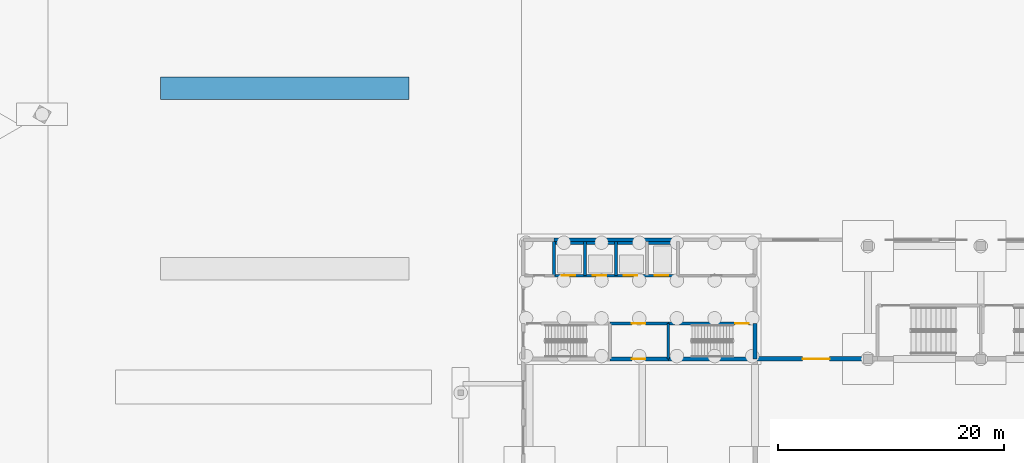
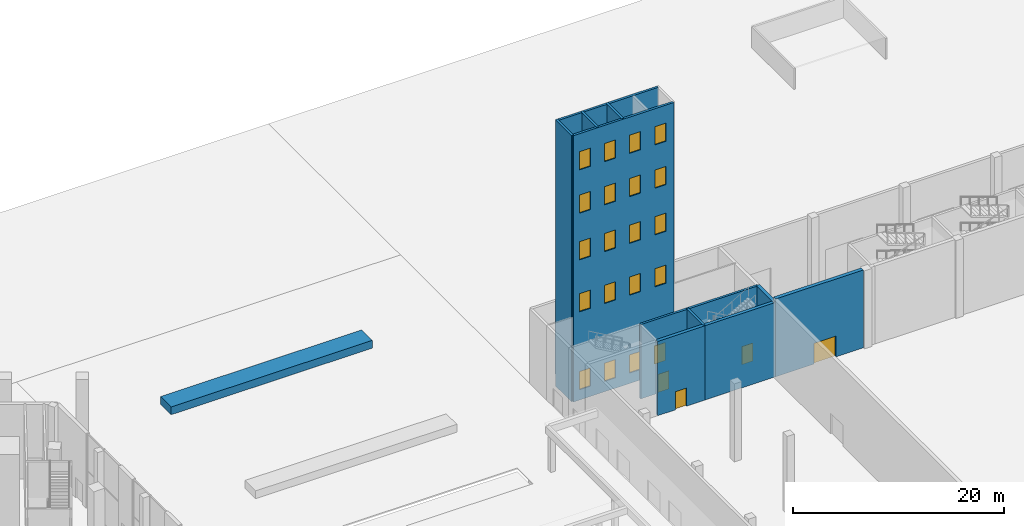
"""IFC4 building model written with IfcOpenShell, lengths in metres."""

from ifc_helpers import new_model, si_unit, direction, frame, frame_2d, origin, place, context, subcontext, project, spatial, rectangle, extrude, material, layer, layer_set, type_object, element, fill, save


model = new_model("IFC4")

# Units and contexts
model_context = context("Model", 3, precision=1e-05, world=origin(), true_north=direction((0.0, 1.0)))
body_context = subcontext(model_context, "Body", "Model", "MODEL_VIEW")
ifc_project = project(units=[si_unit("LENGTHUNIT", "METRE"), si_unit("AREAUNIT", "SQUARE_METRE"), si_unit("VOLUMEUNIT", "CUBIC_METRE"), si_unit("PLANEANGLEUNIT", "RADIAN"), si_unit("MASSUNIT", "GRAM", prefix="KILO")], contexts=[model_context])

# Site, building, storey
site_placement = place(None, origin())
site = spatial("IfcSite", under=ifc_project, at=site_placement, CompositionType="ELEMENT")
building_placement = place(site_placement, origin())
building = spatial("IfcBuilding", under=site, at=building_placement, Name="Jabali Bay Hotel Tower and Convention Centre", CompositionType="ELEMENT")
storey_1_placement = place(building_placement, origin())
storey_1 = spatial("IfcBuildingStorey", under=building, at=storey_1_placement, Name="L00", CompositionType="ELEMENT", Elevation=0.0)

# Wall, opening, door
ifc_material_1 = material(Name="Concrete C60", Category="concrete")
ifc_layer_1 = layer(ifc_material_1, 0.35009765625)
ifc_layer_set_1 = layer_set([ifc_layer_1], Name="Concrete C60")
wall_type_1 = type_object("IfcWallType", Name="CC Core Wall 350", PredefinedType="SHEAR", material=ifc_layer_set_1)
wall_1_placement = place(storey_1_placement, frame((163.0, 100.0, 0.0), z_axis=(0.0, 0.0, 1.0), x_axis=(-1.0, 0.0, 0.0)))
wall_1 = element("IfcWall", 1, at=wall_1_placement, inside=storey_1, type_object=wall_type_1, Name="CC west core wall", PredefinedType="SHEAR", context=body_context, shape_type="SweptSolid", body=[
    extrude(rectangle(XDim=5.175048828125, YDim=0.35009765625, at=frame_2d((2.58740234375, 0.0))), origin(), (0.0, 0.0, 1.0), 8.590087890625),
])
opening_1_placement = place(wall_1_placement, frame((2.02490234375, 0.0, 0.0)))
opening_1 = element("IfcOpeningElement", 2, at=opening_1_placement, cuts=wall_1, Name="Opening CC-D014", PredefinedType="OPENING", context=body_context, shape_type="SweptSolid", body=[
    extrude(rectangle(XDim=1.199951171875, YDim=2.10009765625, at=frame_2d((0.60009765625, 1.050048828125))), frame((0.0, 0.185546875, 0.0), z_axis=(0.0, -1.0, 0.0), x_axis=(1.0, 0.0, 0.0)), (0.0, 0.0, 1.0), 0.37109375),
])
ifc_material_2 = material(Name="Timber and steel door set", Category="steel")
door_type_1 = type_object("IfcDoorType", Name="CC Vestibule Door 1200x2100", OperationType="NOTDEFINED", PredefinedType="DOOR", material=ifc_material_2)
door_1_placement = place(opening_1_placement, origin())
door_1 = element("IfcDoor", 3, at=door_1_placement, inside=storey_1, type_object=door_type_1, Name="CC door CC-D014", OperationType="SINGLE_SWING_RIGHT", OverallHeight=2.10009765625, OverallWidth=1.199951171875, PredefinedType="DOOR", context=body_context, shape_type="SweptSolid", body=[
    extrude(rectangle(XDim=1.199951171875, YDim=2.10009765625, at=frame_2d((0.60009765625, 1.050048828125))), frame((0.0, 0.02490234375, 0.0), z_axis=(0.0, -1.0, 0.0), x_axis=(1.0, 0.0, 0.0)), (0.0, 0.0, 1.0), 0.050048828125),
])
fill(opening_1, door_1)

# Walls
wall_2_placement = place(storey_1_placement, frame((163.0, 100.0, 0.0), z_axis=(0.0, 0.0, 1.0), x_axis=(1.0, 0.0, 0.0)))
element("IfcWall", 4, at=wall_2_placement, inside=storey_1, type_object=wall_type_1, Name="CC west core wall", PredefinedType="SHEAR", context=body_context, shape_type="SweptSolid", body=[
    extrude(rectangle(XDim=7.699951171875, YDim=0.35009765625, at=frame_2d((3.85009765625, 0.0))), origin(), (0.0, 0.0, 1.0), 8.590087890625),
])
wall_3_placement = place(storey_1_placement, frame((170.699951171875, 100.0, 0.0), z_axis=(0.0, 0.0, 1.0), x_axis=(0.0, 1.0, 0.0)))
element("IfcWall", 5, at=wall_3_placement, inside=storey_1, type_object=wall_type_1, Name="CC west core wall", PredefinedType="SHEAR", context=body_context, shape_type="SweptSolid", body=[
    extrude(rectangle(XDim=3.14990234375, YDim=0.35009765625, at=frame_2d((1.574951171875, 0.0))), origin(), (0.0, 0.0, 1.0), 8.590087890625),
])
ifc_material_3 = material(Name="Concrete C40", Category="concrete")
ifc_layer_2 = layer(ifc_material_3, 0.300048828125)
ifc_layer_set_2 = layer_set([ifc_layer_2], Name="Concrete C40")
wall_type_2 = type_object("IfcWallType", Name="CC External Wall 300", PredefinedType="SOLIDWALL", material=ifc_layer_set_2)
wall_4_placement = place(storey_1_placement, frame((152.875, 110.550048828125, 0.0), z_axis=(0.0, 0.0, 1.0), x_axis=(1.0, 0.0, 0.0)))
element("IfcWall", 6, at=wall_4_placement, inside=storey_1, type_object=wall_type_2, Name="CC wall 264", PredefinedType="SOLIDWALL", context=body_context, shape_type="SweptSolid", body=[
    extrude(rectangle(XDim=11.0, YDim=0.300048828125, at=frame_2d((5.5, 0.0))), origin(), (0.0, 0.0, 1.0), 8.590087890625),
])

# Wall, opening, door
ifc_layer_3 = layer(ifc_material_3, 0.39990234375)
ifc_layer_set_3 = layer_set([ifc_layer_3], Name="Concrete C40")
wall_type_3 = type_object("IfcWallType", Name="CC Hall Wall 400", PredefinedType="SHEAR", material=ifc_layer_set_3)
wall_5_placement = place(storey_1_placement, frame((180.300048828125, 100.0, 0.0), z_axis=(0.0, 0.0, 1.0), x_axis=(-1.0, 0.0, 0.0)))
wall_5 = element("IfcWall", 7, at=wall_5_placement, inside=storey_1, type_object=wall_type_3, Name="CC exhibition hall wall", PredefinedType="SHEAR", context=body_context, shape_type="SweptSolid", body=[
    extrude(rectangle(XDim=9.60009765625, YDim=0.39990234375, at=frame_2d((4.800048828125, 0.0))), origin(), (0.0, 0.0, 1.0), 9.0),
])
opening_2_placement = place(wall_5_placement, frame((3.0, 0.0, 0.0)))
opening_2 = element("IfcOpeningElement", 8, at=opening_2_placement, cuts=wall_5, Name="Opening CC-D073", PredefinedType="OPENING", context=body_context, shape_type="SweptSolid", body=[
    extrude(rectangle(XDim=2.39990234375, YDim=2.39990234375, at=frame_2d((1.199951171875, 1.199951171875))), frame((0.0, 0.21044921875, 0.0), z_axis=(0.0, -1.0, 0.0), x_axis=(1.0, 0.0, 0.0)), (0.0, 0.0, 1.0), 0.4208984375),
])
door_type_2 = type_object("IfcDoorType", Name="CC Hall Double Door 2400x2400", OperationType="NOTDEFINED", PredefinedType="DOOR", material=ifc_material_2)
door_2_placement = place(opening_2_placement, origin())
door_2 = element("IfcDoor", 9, at=door_2_placement, inside=storey_1, type_object=door_type_2, Name="CC door CC-D073", OperationType="DOUBLE_DOOR_SINGLE_SWING", OverallHeight=2.39990234375, OverallWidth=2.39990234375, PredefinedType="DOOR", context=body_context, shape_type="SweptSolid", body=[
    extrude(rectangle(XDim=2.39990234375, YDim=2.39990234375, at=frame_2d((1.199951171875, 1.199951171875))), frame((0.0, 0.02490234375, 0.0), z_axis=(0.0, -1.0, 0.0), x_axis=(1.0, 0.0, 0.0)), (0.0, 0.0, 1.0), 0.050048828125),
])
fill(opening_2, door_2)

ifc_layer_4 = layer(ifc_material_3, 0.25)
ifc_layer_set_4 = layer_set([ifc_layer_4], Name="Concrete C40")
wall_type_4 = type_object("IfcWallType", Name="CC Shaft Wall 250", PredefinedType="SHEAR", material=ifc_layer_set_4)
wall_6_placement = place(storey_1_placement, frame((157.824951171875, 103.14990234375, 0.0), z_axis=(0.0, 0.0, 1.0), x_axis=(1.0, 0.0, 0.0)))
wall_6 = element("IfcWall", 10, at=wall_6_placement, inside=storey_1, type_object=wall_type_4, Name="CC west core wall", PredefinedType="SHEAR", context=body_context, shape_type="SweptSolid", body=[
    extrude(rectangle(XDim=5.175048828125, YDim=0.25, at=frame_2d((2.58740234375, 0.0))), origin(), (0.0, 0.0, 1.0), 8.590087890625),
])
opening_3_placement = place(wall_6_placement, frame((1.949951171875, 0.0, 0.0)))
opening_3 = element("IfcOpeningElement", 11, at=opening_3_placement, cuts=wall_6, Name="Opening CC-D130", PredefinedType="OPENING", context=body_context, shape_type="SweptSolid", body=[
    extrude(rectangle(XDim=1.199951171875, YDim=2.10009765625, at=frame_2d((0.60009765625, 1.050048828125))), frame((0.0, 0.135498046875, 0.0), z_axis=(0.0, -1.0, 0.0), x_axis=(1.0, 0.0, 0.0)), (0.0, 0.0, 1.0), 0.27099609375),
])
door_3_placement = place(opening_3_placement, origin())
door_3 = element("IfcDoor", 12, at=door_3_placement, inside=storey_1, type_object=door_type_1, Name="CC door CC-D130", OperationType="SINGLE_SWING_RIGHT", OverallHeight=2.10009765625, OverallWidth=1.199951171875, PredefinedType="DOOR", context=body_context, shape_type="SweptSolid", body=[
    extrude(rectangle(XDim=1.199951171875, YDim=2.10009765625, at=frame_2d((0.60009765625, 1.050048828125))), frame((0.0, 0.02490234375, 0.0), z_axis=(0.0, -1.0, 0.0), x_axis=(1.0, 0.0, 0.0)), (0.0, 0.0, 1.0), 0.050048828125),
])
fill(opening_3, door_3)

wall_7_placement = place(storey_1_placement, frame((163.0, 103.14990234375, 0.0), z_axis=(0.0, 0.0, 1.0), x_axis=(1.0, 0.0, 0.0)))
wall_7 = element("IfcWall", 13, at=wall_7_placement, inside=storey_1, type_object=wall_type_4, Name="CC west core wall", PredefinedType="SHEAR", context=body_context, shape_type="SweptSolid", body=[
    extrude(rectangle(XDim=7.699951171875, YDim=0.25, at=frame_2d((3.85009765625, 0.0))), origin(), (0.0, 0.0, 1.0), 8.590087890625),
])
opening_4_placement = place(wall_7_placement, frame((5.925048828125, 0.0, 0.0)))
opening_4 = element("IfcOpeningElement", 14, at=opening_4_placement, cuts=wall_7, Name="Opening CC-D129", PredefinedType="OPENING", context=body_context, shape_type="SweptSolid", body=[
    extrude(rectangle(XDim=1.199951171875, YDim=2.10009765625, at=frame_2d((0.60009765625, 1.050048828125))), frame((0.0, 0.135498046875, 0.0), z_axis=(0.0, -1.0, 0.0), x_axis=(1.0, 0.0, 0.0)), (0.0, 0.0, 1.0), 0.27099609375),
])
door_type_3 = type_object("IfcDoorType", Name="CC Stair Door 1200x2100", OperationType="NOTDEFINED", PredefinedType="DOOR", material=ifc_material_2)
door_4_placement = place(opening_4_placement, origin())
door_4 = element("IfcDoor", 15, at=door_4_placement, inside=storey_1, type_object=door_type_3, Name="CC door CC-D129", OperationType="SINGLE_SWING_LEFT", OverallHeight=2.10009765625, OverallWidth=1.199951171875, PredefinedType="DOOR", context=body_context, shape_type="SweptSolid", body=[
    extrude(rectangle(XDim=1.199951171875, YDim=2.10009765625, at=frame_2d((0.60009765625, 1.050048828125))), frame((0.0, 0.02490234375, 0.0), z_axis=(0.0, -1.0, 0.0), x_axis=(1.0, 0.0, 0.0)), (0.0, 0.0, 1.0), 0.050048828125),
])
fill(opening_4, door_4)

# Walls
wall_8_placement = place(storey_1_placement, frame((163.0, 100.0, 0.0), z_axis=(0.0, 0.0, 1.0), x_axis=(0.0, 1.0, 0.0)))
element("IfcWall", 16, at=wall_8_placement, inside=storey_1, type_object=wall_type_4, Name="CC west core wall", PredefinedType="SHEAR", context=body_context, shape_type="SweptSolid", body=[
    extrude(rectangle(XDim=3.14990234375, YDim=0.25, at=frame_2d((1.574951171875, 0.0))), origin(), (0.0, 0.0, 1.0), 8.590087890625),
])
for number, where, z_axis, x_axis, name in (
    (17, (152.875, 107.375, -1.199951171875), (0.0, 0.0, 1.0), (0.0, 1.0, 0.0), "CC west lift shaft wall"),
    (18, (155.625, 107.375, -1.199951171875), (0.0, 0.0, 1.0), (0.0, 1.0, 0.0), "CC west lift shaft wall"),
    (19, (158.375, 107.375, -1.199951171875), (0.0, 0.0, 1.0), (0.0, 1.0, 0.0), "CC west lift shaft wall"),
):
    element("IfcWall", number, at=place(storey_1_placement, frame(where, z_axis=z_axis, x_axis=x_axis)), inside=storey_1, type_object=wall_type_4, Name=name, PredefinedType="SHEAR", context=body_context, shape_type="SweptSolid", body=[
        extrude(rectangle(XDim=3.02490234375, YDim=0.25, at=frame_2d((1.512451171875, 0.0))), origin(), (0.0, 0.0, 1.0), 30.7900390625),
    ])

# Wall, openings, doors
wall_9_placement = place(storey_1_placement, frame((163.875, 107.375, -1.199951171875), z_axis=(0.0, 0.0, 1.0), x_axis=(-1.0, 0.0, 0.0)))
wall_9 = element("IfcWall", 20, at=wall_9_placement, inside=storey_1, type_object=wall_type_4, Name="CC west lift shaft wall", PredefinedType="SHEAR", context=body_context, shape_type="SweptSolid", body=[
    extrude(rectangle(XDim=11.0, YDim=0.25, at=frame_2d((5.5, 0.0))), origin(), (0.0, 0.0, 1.0), 30.7900390625),
])
opening_5_placement = place(wall_9_placement, frame((9.125, 0.0, 1.199951171875)))
opening_5 = element("IfcOpeningElement", 21, at=opening_5_placement, cuts=wall_9, Name="Opening CC-LD131", PredefinedType="OPENING", context=body_context, shape_type="SweptSolid", body=[
    extrude(rectangle(XDim=1.199951171875, YDim=2.10009765625, at=frame_2d((0.60009765625, 1.050048828125))), frame((0.0, 0.135498046875, 0.0), z_axis=(0.0, -1.0, 0.0), x_axis=(1.0, 0.0, 0.0)), (0.0, 0.0, 1.0), 0.27099609375),
])
opening_6_placement = place(wall_9_placement, frame((6.375, 0.0, 1.199951171875)))
opening_6 = element("IfcOpeningElement", 22, at=opening_6_placement, cuts=wall_9, Name="Opening CC-LD132", PredefinedType="OPENING", context=body_context, shape_type="SweptSolid", body=[
    extrude(rectangle(XDim=1.199951171875, YDim=2.10009765625, at=frame_2d((0.60009765625, 1.050048828125))), frame((0.0, 0.135498046875, 0.0), z_axis=(0.0, -1.0, 0.0), x_axis=(1.0, 0.0, 0.0)), (0.0, 0.0, 1.0), 0.27099609375),
])
opening_7_placement = place(wall_9_placement, frame((3.625, 0.0, 1.199951171875)))
opening_7 = element("IfcOpeningElement", 23, at=opening_7_placement, cuts=wall_9, Name="Opening CC-LD133", PredefinedType="OPENING", context=body_context, shape_type="SweptSolid", body=[
    extrude(rectangle(XDim=1.199951171875, YDim=2.10009765625, at=frame_2d((0.60009765625, 1.050048828125))), frame((0.0, 0.135498046875, 0.0), z_axis=(0.0, -1.0, 0.0), x_axis=(1.0, 0.0, 0.0)), (0.0, 0.0, 1.0), 0.27099609375),
])
opening_8_placement = place(wall_9_placement, frame((0.875, 0.0, 1.199951171875)))
opening_8 = element("IfcOpeningElement", 24, at=opening_8_placement, cuts=wall_9, Name="Opening CC-LD134", PredefinedType="OPENING", context=body_context, shape_type="SweptSolid", body=[
    extrude(rectangle(XDim=1.199951171875, YDim=2.10009765625, at=frame_2d((0.60009765625, 1.050048828125))), frame((0.0, 0.135498046875, 0.0), z_axis=(0.0, -1.0, 0.0), x_axis=(1.0, 0.0, 0.0)), (0.0, 0.0, 1.0), 0.27099609375),
])
opening_9_placement = place(wall_9_placement, frame((9.125, 0.0, 10.199951171875)))
opening_9 = element("IfcOpeningElement", 25, at=opening_9_placement, cuts=wall_9, Name="Opening CC-LD140", PredefinedType="OPENING", context=body_context, shape_type="SweptSolid", body=[
    extrude(rectangle(XDim=1.199951171875, YDim=2.10009765625, at=frame_2d((0.60009765625, 1.050048828125))), frame((0.0, 0.135498046875, 0.0), z_axis=(0.0, -1.0, 0.0), x_axis=(1.0, 0.0, 0.0)), (0.0, 0.0, 1.0), 0.27099609375),
])
opening_10_placement = place(wall_9_placement, frame((6.375, 0.0, 10.199951171875)))
opening_10 = element("IfcOpeningElement", 26, at=opening_10_placement, cuts=wall_9, Name="Opening CC-LD141", PredefinedType="OPENING", context=body_context, shape_type="SweptSolid", body=[
    extrude(rectangle(XDim=1.199951171875, YDim=2.10009765625, at=frame_2d((0.60009765625, 1.050048828125))), frame((0.0, 0.135498046875, 0.0), z_axis=(0.0, -1.0, 0.0), x_axis=(1.0, 0.0, 0.0)), (0.0, 0.0, 1.0), 0.27099609375),
])
opening_11_placement = place(wall_9_placement, frame((3.625, 0.0, 10.199951171875)))
opening_11 = element("IfcOpeningElement", 27, at=opening_11_placement, cuts=wall_9, Name="Opening CC-LD142", PredefinedType="OPENING", context=body_context, shape_type="SweptSolid", body=[
    extrude(rectangle(XDim=1.199951171875, YDim=2.10009765625, at=frame_2d((0.60009765625, 1.050048828125))), frame((0.0, 0.135498046875, 0.0), z_axis=(0.0, -1.0, 0.0), x_axis=(1.0, 0.0, 0.0)), (0.0, 0.0, 1.0), 0.27099609375),
])
opening_12_placement = place(wall_9_placement, frame((0.875, 0.0, 10.199951171875)))
opening_12 = element("IfcOpeningElement", 28, at=opening_12_placement, cuts=wall_9, Name="Opening CC-LD143", PredefinedType="OPENING", context=body_context, shape_type="SweptSolid", body=[
    extrude(rectangle(XDim=1.199951171875, YDim=2.10009765625, at=frame_2d((0.60009765625, 1.050048828125))), frame((0.0, 0.135498046875, 0.0), z_axis=(0.0, -1.0, 0.0), x_axis=(1.0, 0.0, 0.0)), (0.0, 0.0, 1.0), 0.27099609375),
])
opening_13_placement = place(wall_9_placement, frame((9.125, 0.0, 16.199951171875)))
opening_13 = element("IfcOpeningElement", 29, at=opening_13_placement, cuts=wall_9, Name="Opening CC-LD149", PredefinedType="OPENING", context=body_context, shape_type="SweptSolid", body=[
    extrude(rectangle(XDim=1.199951171875, YDim=2.10009765625, at=frame_2d((0.60009765625, 1.050048828125))), frame((0.0, 0.135498046875, 0.0), z_axis=(0.0, -1.0, 0.0), x_axis=(1.0, 0.0, 0.0)), (0.0, 0.0, 1.0), 0.27099609375),
])
opening_14_placement = place(wall_9_placement, frame((6.375, 0.0, 16.199951171875)))
opening_14 = element("IfcOpeningElement", 30, at=opening_14_placement, cuts=wall_9, Name="Opening CC-LD150", PredefinedType="OPENING", context=body_context, shape_type="SweptSolid", body=[
    extrude(rectangle(XDim=1.199951171875, YDim=2.10009765625, at=frame_2d((0.60009765625, 1.050048828125))), frame((0.0, 0.135498046875, 0.0), z_axis=(0.0, -1.0, 0.0), x_axis=(1.0, 0.0, 0.0)), (0.0, 0.0, 1.0), 0.27099609375),
])
opening_15_placement = place(wall_9_placement, frame((3.625, 0.0, 16.199951171875)))
opening_15 = element("IfcOpeningElement", 31, at=opening_15_placement, cuts=wall_9, Name="Opening CC-LD151", PredefinedType="OPENING", context=body_context, shape_type="SweptSolid", body=[
    extrude(rectangle(XDim=1.199951171875, YDim=2.10009765625, at=frame_2d((0.60009765625, 1.050048828125))), frame((0.0, 0.135498046875, 0.0), z_axis=(0.0, -1.0, 0.0), x_axis=(1.0, 0.0, 0.0)), (0.0, 0.0, 1.0), 0.27099609375),
])
opening_16_placement = place(wall_9_placement, frame((0.875, 0.0, 16.199951171875)))
opening_16 = element("IfcOpeningElement", 32, at=opening_16_placement, cuts=wall_9, Name="Opening CC-LD152", PredefinedType="OPENING", context=body_context, shape_type="SweptSolid", body=[
    extrude(rectangle(XDim=1.199951171875, YDim=2.10009765625, at=frame_2d((0.60009765625, 1.050048828125))), frame((0.0, 0.135498046875, 0.0), z_axis=(0.0, -1.0, 0.0), x_axis=(1.0, 0.0, 0.0)), (0.0, 0.0, 1.0), 0.27099609375),
])
opening_17_placement = place(wall_9_placement, frame((9.125, 0.0, 21.60009765625)))
opening_17 = element("IfcOpeningElement", 33, at=opening_17_placement, cuts=wall_9, Name="Opening CC-LD158", PredefinedType="OPENING", context=body_context, shape_type="SweptSolid", body=[
    extrude(rectangle(XDim=1.199951171875, YDim=2.10009765625, at=frame_2d((0.60009765625, 1.050048828125))), frame((0.0, 0.135498046875, 0.0), z_axis=(0.0, -1.0, 0.0), x_axis=(1.0, 0.0, 0.0)), (0.0, 0.0, 1.0), 0.27099609375),
])
opening_18_placement = place(wall_9_placement, frame((6.375, 0.0, 21.60009765625)))
opening_18 = element("IfcOpeningElement", 34, at=opening_18_placement, cuts=wall_9, Name="Opening CC-LD159", PredefinedType="OPENING", context=body_context, shape_type="SweptSolid", body=[
    extrude(rectangle(XDim=1.199951171875, YDim=2.10009765625, at=frame_2d((0.60009765625, 1.050048828125))), frame((0.0, 0.135498046875, 0.0), z_axis=(0.0, -1.0, 0.0), x_axis=(1.0, 0.0, 0.0)), (0.0, 0.0, 1.0), 0.27099609375),
])
opening_19_placement = place(wall_9_placement, frame((3.625, 0.0, 21.60009765625)))
opening_19 = element("IfcOpeningElement", 35, at=opening_19_placement, cuts=wall_9, Name="Opening CC-LD160", PredefinedType="OPENING", context=body_context, shape_type="SweptSolid", body=[
    extrude(rectangle(XDim=1.199951171875, YDim=2.10009765625, at=frame_2d((0.60009765625, 1.050048828125))), frame((0.0, 0.135498046875, 0.0), z_axis=(0.0, -1.0, 0.0), x_axis=(1.0, 0.0, 0.0)), (0.0, 0.0, 1.0), 0.27099609375),
])
opening_20_placement = place(wall_9_placement, frame((0.875, 0.0, 21.60009765625)))
opening_20 = element("IfcOpeningElement", 36, at=opening_20_placement, cuts=wall_9, Name="Opening CC-LD161", PredefinedType="OPENING", context=body_context, shape_type="SweptSolid", body=[
    extrude(rectangle(XDim=1.199951171875, YDim=2.10009765625, at=frame_2d((0.60009765625, 1.050048828125))), frame((0.0, 0.135498046875, 0.0), z_axis=(0.0, -1.0, 0.0), x_axis=(1.0, 0.0, 0.0)), (0.0, 0.0, 1.0), 0.27099609375),
])
opening_21_placement = place(wall_9_placement, frame((9.125, 0.0, 26.60009765625)))
opening_21 = element("IfcOpeningElement", 37, at=opening_21_placement, cuts=wall_9, Name="Opening CC-LD167", PredefinedType="OPENING", context=body_context, shape_type="SweptSolid", body=[
    extrude(rectangle(XDim=1.199951171875, YDim=2.10009765625, at=frame_2d((0.60009765625, 1.050048828125))), frame((0.0, 0.135498046875, 0.0), z_axis=(0.0, -1.0, 0.0), x_axis=(1.0, 0.0, 0.0)), (0.0, 0.0, 1.0), 0.27099609375),
])
opening_22_placement = place(wall_9_placement, frame((6.375, 0.0, 26.60009765625)))
opening_22 = element("IfcOpeningElement", 38, at=opening_22_placement, cuts=wall_9, Name="Opening CC-LD168", PredefinedType="OPENING", context=body_context, shape_type="SweptSolid", body=[
    extrude(rectangle(XDim=1.199951171875, YDim=2.10009765625, at=frame_2d((0.60009765625, 1.050048828125))), frame((0.0, 0.135498046875, 0.0), z_axis=(0.0, -1.0, 0.0), x_axis=(1.0, 0.0, 0.0)), (0.0, 0.0, 1.0), 0.27099609375),
])
opening_23_placement = place(wall_9_placement, frame((3.625, 0.0, 26.60009765625)))
opening_23 = element("IfcOpeningElement", 39, at=opening_23_placement, cuts=wall_9, Name="Opening CC-LD169", PredefinedType="OPENING", context=body_context, shape_type="SweptSolid", body=[
    extrude(rectangle(XDim=1.199951171875, YDim=2.10009765625, at=frame_2d((0.60009765625, 1.050048828125))), frame((0.0, 0.135498046875, 0.0), z_axis=(0.0, -1.0, 0.0), x_axis=(1.0, 0.0, 0.0)), (0.0, 0.0, 1.0), 0.27099609375),
])
opening_24_placement = place(wall_9_placement, frame((0.875, 0.0, 26.60009765625)))
opening_24 = element("IfcOpeningElement", 40, at=opening_24_placement, cuts=wall_9, Name="Opening CC-LD170", PredefinedType="OPENING", context=body_context, shape_type="SweptSolid", body=[
    extrude(rectangle(XDim=1.199951171875, YDim=2.10009765625, at=frame_2d((0.60009765625, 1.050048828125))), frame((0.0, 0.135498046875, 0.0), z_axis=(0.0, -1.0, 0.0), x_axis=(1.0, 0.0, 0.0)), (0.0, 0.0, 1.0), 0.27099609375),
])
ifc_material_4 = material(Name="Stainless steel door set", Category="steel")
door_type_4 = type_object("IfcDoorType", Name="CC Lift Landing Door 1200x2100", OperationType="SLIDING_TO_LEFT", PredefinedType="DOOR", material=ifc_material_4)
door_5_placement = place(opening_5_placement, origin())
door_5 = element("IfcDoor", 41, at=door_5_placement, inside=storey_1, type_object=door_type_4, Name="CC lift landing door CC-LD131", OperationType="SLIDING_TO_LEFT", OverallHeight=2.10009765625, OverallWidth=1.199951171875, PredefinedType="DOOR", context=body_context, shape_type="SweptSolid", body=[
    extrude(rectangle(XDim=1.199951171875, YDim=2.10009765625, at=frame_2d((0.60009765625, 1.050048828125))), frame((0.0, 0.02490234375, 0.0), z_axis=(0.0, -1.0, 0.0), x_axis=(1.0, 0.0, 0.0)), (0.0, 0.0, 1.0), 0.050048828125),
])
fill(opening_5, door_5)
door_6_placement = place(opening_6_placement, origin())
door_6 = element("IfcDoor", 42, at=door_6_placement, inside=storey_1, type_object=door_type_4, Name="CC lift landing door CC-LD132", OperationType="SLIDING_TO_RIGHT", OverallHeight=2.10009765625, OverallWidth=1.199951171875, PredefinedType="DOOR", context=body_context, shape_type="SweptSolid", body=[
    extrude(rectangle(XDim=1.199951171875, YDim=2.10009765625, at=frame_2d((0.60009765625, 1.050048828125))), frame((0.0, 0.02490234375, 0.0), z_axis=(0.0, -1.0, 0.0), x_axis=(1.0, 0.0, 0.0)), (0.0, 0.0, 1.0), 0.050048828125),
])
fill(opening_6, door_6)
door_7_placement = place(opening_7_placement, origin())
door_7 = element("IfcDoor", 43, at=door_7_placement, inside=storey_1, type_object=door_type_4, Name="CC lift landing door CC-LD133", OperationType="SLIDING_TO_LEFT", OverallHeight=2.10009765625, OverallWidth=1.199951171875, PredefinedType="DOOR", context=body_context, shape_type="SweptSolid", body=[
    extrude(rectangle(XDim=1.199951171875, YDim=2.10009765625, at=frame_2d((0.60009765625, 1.050048828125))), frame((0.0, 0.02490234375, 0.0), z_axis=(0.0, -1.0, 0.0), x_axis=(1.0, 0.0, 0.0)), (0.0, 0.0, 1.0), 0.050048828125),
])
fill(opening_7, door_7)
door_8_placement = place(opening_8_placement, origin())
door_8 = element("IfcDoor", 44, at=door_8_placement, inside=storey_1, type_object=door_type_4, Name="CC lift landing door CC-LD134", OperationType="SLIDING_TO_RIGHT", OverallHeight=2.10009765625, OverallWidth=1.199951171875, PredefinedType="DOOR", context=body_context, shape_type="SweptSolid", body=[
    extrude(rectangle(XDim=1.199951171875, YDim=2.10009765625, at=frame_2d((0.60009765625, 1.050048828125))), frame((0.0, 0.02490234375, 0.0), z_axis=(0.0, -1.0, 0.0), x_axis=(1.0, 0.0, 0.0)), (0.0, 0.0, 1.0), 0.050048828125),
])
fill(opening_8, door_8)

# Storey
storey_2_placement = place(building_placement, frame((0.0, 0.0, 9.0)))
storey_2 = spatial("IfcBuildingStorey", under=building, at=storey_2_placement, Name="L01", CompositionType="ELEMENT", Elevation=9.0)

# Door
door_9_placement = place(opening_9_placement, origin())
door_9 = element("IfcDoor", 45, at=door_9_placement, inside=storey_2, type_object=door_type_4, Name="CC lift landing door CC-LD140", OperationType="SLIDING_TO_RIGHT", OverallHeight=2.10009765625, OverallWidth=1.199951171875, PredefinedType="DOOR", context=body_context, shape_type="SweptSolid", body=[
    extrude(rectangle(XDim=1.199951171875, YDim=2.10009765625, at=frame_2d((0.60009765625, 1.050048828125))), frame((0.0, 0.02490234375, 0.0), z_axis=(0.0, -1.0, 0.0), x_axis=(1.0, 0.0, 0.0)), (0.0, 0.0, 1.0), 0.050048828125),
])

fill(opening_9, door_9)

door_10_placement = place(opening_10_placement, origin())
door_10 = element("IfcDoor", 46, at=door_10_placement, inside=storey_2, type_object=door_type_4, Name="CC lift landing door CC-LD141", OperationType="SLIDING_TO_LEFT", OverallHeight=2.10009765625, OverallWidth=1.199951171875, PredefinedType="DOOR", context=body_context, shape_type="SweptSolid", body=[
    extrude(rectangle(XDim=1.199951171875, YDim=2.10009765625, at=frame_2d((0.60009765625, 1.050048828125))), frame((0.0, 0.02490234375, 0.0), z_axis=(0.0, -1.0, 0.0), x_axis=(1.0, 0.0, 0.0)), (0.0, 0.0, 1.0), 0.050048828125),
])

fill(opening_10, door_10)

door_11_placement = place(opening_11_placement, origin())
door_11 = element("IfcDoor", 47, at=door_11_placement, inside=storey_2, type_object=door_type_4, Name="CC lift landing door CC-LD142", OperationType="SLIDING_TO_RIGHT", OverallHeight=2.10009765625, OverallWidth=1.199951171875, PredefinedType="DOOR", context=body_context, shape_type="SweptSolid", body=[
    extrude(rectangle(XDim=1.199951171875, YDim=2.10009765625, at=frame_2d((0.60009765625, 1.050048828125))), frame((0.0, 0.02490234375, 0.0), z_axis=(0.0, -1.0, 0.0), x_axis=(1.0, 0.0, 0.0)), (0.0, 0.0, 1.0), 0.050048828125),
])

fill(opening_11, door_11)

door_12_placement = place(opening_12_placement, origin())
door_12 = element("IfcDoor", 48, at=door_12_placement, inside=storey_2, type_object=door_type_4, Name="CC lift landing door CC-LD143", OperationType="SLIDING_TO_LEFT", OverallHeight=2.10009765625, OverallWidth=1.199951171875, PredefinedType="DOOR", context=body_context, shape_type="SweptSolid", body=[
    extrude(rectangle(XDim=1.199951171875, YDim=2.10009765625, at=frame_2d((0.60009765625, 1.050048828125))), frame((0.0, 0.02490234375, 0.0), z_axis=(0.0, -1.0, 0.0), x_axis=(1.0, 0.0, 0.0)), (0.0, 0.0, 1.0), 0.050048828125),
])

fill(opening_12, door_12)

# Storey
storey_3_placement = place(building_placement, frame((0.0, 0.0, 15.0)))
storey_3 = spatial("IfcBuildingStorey", under=building, at=storey_3_placement, Name="L02", CompositionType="ELEMENT", Elevation=15.0)

# Door
door_13_placement = place(opening_13_placement, origin())
door_13 = element("IfcDoor", 49, at=door_13_placement, inside=storey_3, type_object=door_type_4, Name="CC lift landing door CC-LD149", OperationType="SLIDING_TO_LEFT", OverallHeight=2.10009765625, OverallWidth=1.199951171875, PredefinedType="DOOR", context=body_context, shape_type="SweptSolid", body=[
    extrude(rectangle(XDim=1.199951171875, YDim=2.10009765625, at=frame_2d((0.60009765625, 1.050048828125))), frame((0.0, 0.02490234375, 0.0), z_axis=(0.0, -1.0, 0.0), x_axis=(1.0, 0.0, 0.0)), (0.0, 0.0, 1.0), 0.050048828125),
])

fill(opening_13, door_13)

door_14_placement = place(opening_14_placement, origin())
door_14 = element("IfcDoor", 50, at=door_14_placement, inside=storey_3, type_object=door_type_4, Name="CC lift landing door CC-LD150", OperationType="SLIDING_TO_RIGHT", OverallHeight=2.10009765625, OverallWidth=1.199951171875, PredefinedType="DOOR", context=body_context, shape_type="SweptSolid", body=[
    extrude(rectangle(XDim=1.199951171875, YDim=2.10009765625, at=frame_2d((0.60009765625, 1.050048828125))), frame((0.0, 0.02490234375, 0.0), z_axis=(0.0, -1.0, 0.0), x_axis=(1.0, 0.0, 0.0)), (0.0, 0.0, 1.0), 0.050048828125),
])

fill(opening_14, door_14)

door_15_placement = place(opening_15_placement, origin())
door_15 = element("IfcDoor", 51, at=door_15_placement, inside=storey_3, type_object=door_type_4, Name="CC lift landing door CC-LD151", OperationType="SLIDING_TO_LEFT", OverallHeight=2.10009765625, OverallWidth=1.199951171875, PredefinedType="DOOR", context=body_context, shape_type="SweptSolid", body=[
    extrude(rectangle(XDim=1.199951171875, YDim=2.10009765625, at=frame_2d((0.60009765625, 1.050048828125))), frame((0.0, 0.02490234375, 0.0), z_axis=(0.0, -1.0, 0.0), x_axis=(1.0, 0.0, 0.0)), (0.0, 0.0, 1.0), 0.050048828125),
])

fill(opening_15, door_15)

door_16_placement = place(opening_16_placement, origin())
door_16 = element("IfcDoor", 52, at=door_16_placement, inside=storey_3, type_object=door_type_4, Name="CC lift landing door CC-LD152", OperationType="SLIDING_TO_RIGHT", OverallHeight=2.10009765625, OverallWidth=1.199951171875, PredefinedType="DOOR", context=body_context, shape_type="SweptSolid", body=[
    extrude(rectangle(XDim=1.199951171875, YDim=2.10009765625, at=frame_2d((0.60009765625, 1.050048828125))), frame((0.0, 0.02490234375, 0.0), z_axis=(0.0, -1.0, 0.0), x_axis=(1.0, 0.0, 0.0)), (0.0, 0.0, 1.0), 0.050048828125),
])

fill(opening_16, door_16)

# Storey
storey_4_placement = place(building_placement, frame((0.0, 0.0, 20.39990234375)))
storey_4 = spatial("IfcBuildingStorey", under=building, at=storey_4_placement, Name="L03", CompositionType="ELEMENT", Elevation=20.39990234375)

# Door
door_17_placement = place(opening_17_placement, origin())
door_17 = element("IfcDoor", 53, at=door_17_placement, inside=storey_4, type_object=door_type_4, Name="CC lift landing door CC-LD158", OperationType="SLIDING_TO_RIGHT", OverallHeight=2.10009765625, OverallWidth=1.199951171875, PredefinedType="DOOR", context=body_context, shape_type="SweptSolid", body=[
    extrude(rectangle(XDim=1.199951171875, YDim=2.10009765625, at=frame_2d((0.60009765625, 1.050048828125))), frame((0.0, 0.02490234375, 0.0), z_axis=(0.0, -1.0, 0.0), x_axis=(1.0, 0.0, 0.0)), (0.0, 0.0, 1.0), 0.050048828125),
])

fill(opening_17, door_17)

door_18_placement = place(opening_18_placement, origin())
door_18 = element("IfcDoor", 54, at=door_18_placement, inside=storey_4, type_object=door_type_4, Name="CC lift landing door CC-LD159", OperationType="SLIDING_TO_LEFT", OverallHeight=2.10009765625, OverallWidth=1.199951171875, PredefinedType="DOOR", context=body_context, shape_type="SweptSolid", body=[
    extrude(rectangle(XDim=1.199951171875, YDim=2.10009765625, at=frame_2d((0.60009765625, 1.050048828125))), frame((0.0, 0.02490234375, 0.0), z_axis=(0.0, -1.0, 0.0), x_axis=(1.0, 0.0, 0.0)), (0.0, 0.0, 1.0), 0.050048828125),
])

fill(opening_18, door_18)

door_19_placement = place(opening_19_placement, origin())
door_19 = element("IfcDoor", 55, at=door_19_placement, inside=storey_4, type_object=door_type_4, Name="CC lift landing door CC-LD160", OperationType="SLIDING_TO_RIGHT", OverallHeight=2.10009765625, OverallWidth=1.199951171875, PredefinedType="DOOR", context=body_context, shape_type="SweptSolid", body=[
    extrude(rectangle(XDim=1.199951171875, YDim=2.10009765625, at=frame_2d((0.60009765625, 1.050048828125))), frame((0.0, 0.02490234375, 0.0), z_axis=(0.0, -1.0, 0.0), x_axis=(1.0, 0.0, 0.0)), (0.0, 0.0, 1.0), 0.050048828125),
])

fill(opening_19, door_19)

door_20_placement = place(opening_20_placement, origin())
door_20 = element("IfcDoor", 56, at=door_20_placement, inside=storey_4, type_object=door_type_4, Name="CC lift landing door CC-LD161", OperationType="SLIDING_TO_LEFT", OverallHeight=2.10009765625, OverallWidth=1.199951171875, PredefinedType="DOOR", context=body_context, shape_type="SweptSolid", body=[
    extrude(rectangle(XDim=1.199951171875, YDim=2.10009765625, at=frame_2d((0.60009765625, 1.050048828125))), frame((0.0, 0.02490234375, 0.0), z_axis=(0.0, -1.0, 0.0), x_axis=(1.0, 0.0, 0.0)), (0.0, 0.0, 1.0), 0.050048828125),
])

fill(opening_20, door_20)

# Storey
storey_5_placement = place(building_placement, frame((0.0, 0.0, 25.39990234375)))
storey_5 = spatial("IfcBuildingStorey", under=building, at=storey_5_placement, Name="L04", CompositionType="ELEMENT", Elevation=25.39990234375)

# Door
door_21_placement = place(opening_21_placement, origin())
door_21 = element("IfcDoor", 57, at=door_21_placement, inside=storey_5, type_object=door_type_4, Name="CC lift landing door CC-LD167", OperationType="SLIDING_TO_LEFT", OverallHeight=2.10009765625, OverallWidth=1.199951171875, PredefinedType="DOOR", context=body_context, shape_type="SweptSolid", body=[
    extrude(rectangle(XDim=1.199951171875, YDim=2.10009765625, at=frame_2d((0.60009765625, 1.050048828125))), frame((0.0, 0.02490234375, 0.0), z_axis=(0.0, -1.0, 0.0), x_axis=(1.0, 0.0, 0.0)), (0.0, 0.0, 1.0), 0.050048828125),
])

fill(opening_21, door_21)

door_22_placement = place(opening_22_placement, origin())
door_22 = element("IfcDoor", 58, at=door_22_placement, inside=storey_5, type_object=door_type_4, Name="CC lift landing door CC-LD168", OperationType="SLIDING_TO_RIGHT", OverallHeight=2.10009765625, OverallWidth=1.199951171875, PredefinedType="DOOR", context=body_context, shape_type="SweptSolid", body=[
    extrude(rectangle(XDim=1.199951171875, YDim=2.10009765625, at=frame_2d((0.60009765625, 1.050048828125))), frame((0.0, 0.02490234375, 0.0), z_axis=(0.0, -1.0, 0.0), x_axis=(1.0, 0.0, 0.0)), (0.0, 0.0, 1.0), 0.050048828125),
])

fill(opening_22, door_22)

door_23_placement = place(opening_23_placement, origin())
door_23 = element("IfcDoor", 59, at=door_23_placement, inside=storey_5, type_object=door_type_4, Name="CC lift landing door CC-LD169", OperationType="SLIDING_TO_LEFT", OverallHeight=2.10009765625, OverallWidth=1.199951171875, PredefinedType="DOOR", context=body_context, shape_type="SweptSolid", body=[
    extrude(rectangle(XDim=1.199951171875, YDim=2.10009765625, at=frame_2d((0.60009765625, 1.050048828125))), frame((0.0, 0.02490234375, 0.0), z_axis=(0.0, -1.0, 0.0), x_axis=(1.0, 0.0, 0.0)), (0.0, 0.0, 1.0), 0.050048828125),
])

fill(opening_23, door_23)

door_24_placement = place(opening_24_placement, origin())
door_24 = element("IfcDoor", 60, at=door_24_placement, inside=storey_5, type_object=door_type_4, Name="CC lift landing door CC-LD170", OperationType="SLIDING_TO_RIGHT", OverallHeight=2.10009765625, OverallWidth=1.199951171875, PredefinedType="DOOR", context=body_context, shape_type="SweptSolid", body=[
    extrude(rectangle(XDim=1.199951171875, YDim=2.10009765625, at=frame_2d((0.60009765625, 1.050048828125))), frame((0.0, 0.02490234375, 0.0), z_axis=(0.0, -1.0, 0.0), x_axis=(1.0, 0.0, 0.0)), (0.0, 0.0, 1.0), 0.050048828125),
])

fill(opening_24, door_24)

# Walls
wall_10_placement = place(storey_1_placement, frame((152.875, 110.27490234375, -1.199951171875), z_axis=(0.0, 0.0, 1.0), x_axis=(1.0, 0.0, 0.0)))
element("IfcWall", 61, at=wall_10_placement, inside=storey_1, type_object=wall_type_4, Name="CC west lift shaft wall", PredefinedType="SHEAR", context=body_context, shape_type="SweptSolid", body=[
    extrude(rectangle(XDim=11.0, YDim=0.25, at=frame_2d((5.5, 0.0))), origin(), (0.0, 0.0, 1.0), 30.7900390625),
])
ifc_material_5 = material(Name="Concrete C30", Category="concrete")
ifc_layer_5 = layer(ifc_material_5, 2.0)
ifc_layer_set_5 = layer_set([ifc_layer_5], Name="Concrete C30")
wall_type_5 = type_object("IfcWallType", Name="SI Planter Wall 2000", PredefinedType="SOLIDWALL", material=ifc_layer_set_5)
wall_11_placement = place(storey_1_placement, frame((118.0, 124.0, 0.0), z_axis=(0.0, 0.0, 1.0), x_axis=(1.0, 0.0, 0.0)))
element("IfcWall", 62, at=wall_11_placement, inside=storey_1, type_object=wall_type_5, Name="Garden planter 4", PredefinedType="SOLIDWALL", context=body_context, shape_type="SweptSolid", body=[
    extrude(rectangle(XDim=22.0, YDim=2.0, at=frame_2d((11.0, 0.0))), origin(), (0.0, 0.0, 1.0), 0.89990234375),
])

save(model, "model.ifc")
